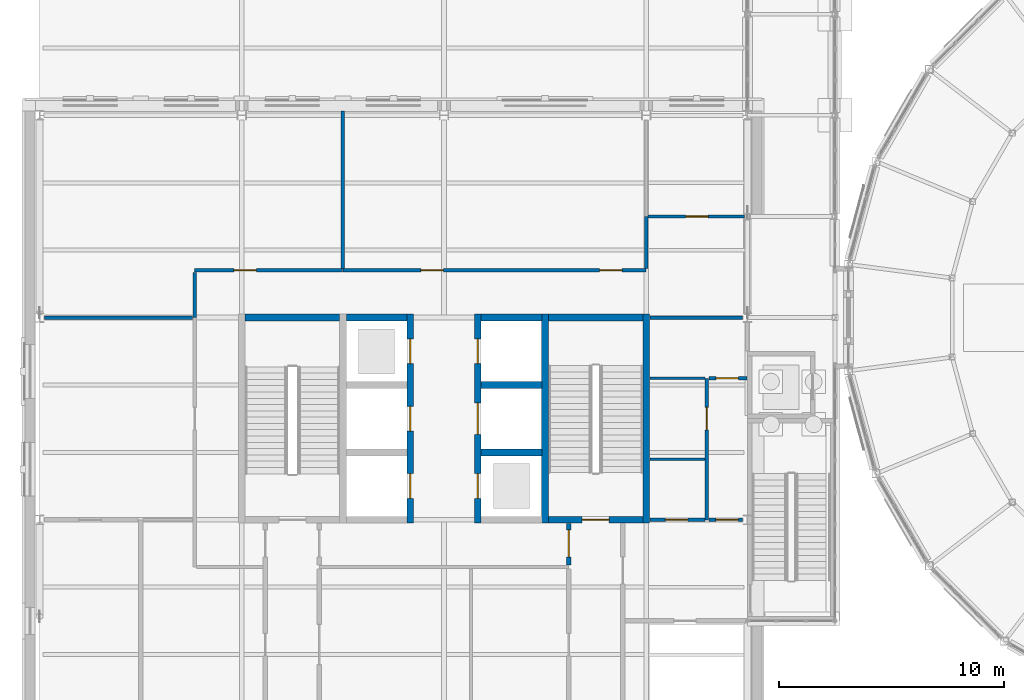
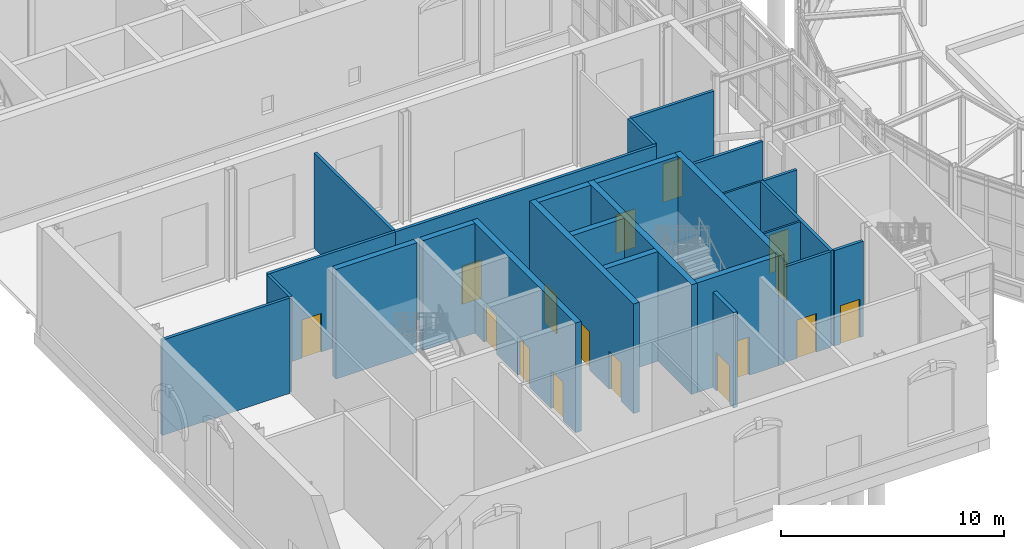
# One storey, part 68 of 106: 26 walls, 16 doors, 16 openings.
"""IFC4 building model written with IfcOpenShell, lengths in metres."""

import ifcopenshell
import ifcopenshell.guid

model = None  # the IFC model being written
_history = None  # IfcOwnerHistory: only IFC2X3 demands one
_inside = {}  # id of a spatial element -> (the spatial element, [elements in it])
_under = {}  # id of a project, library or spatial element -> (it, [spatial elements below it])
_declared = {}  # id of a project -> (the project, [libraries it declares])
_typed = {}  # id of a type object -> (the type object, [elements of that type])
_made_of = {}  # id of a material, layer set ... -> (it, [elements and type objects made of it])


def new_model(schema):
    """Start an empty IFC model of exactly this schema.

    Asked for "IFC4X3", IfcOpenShell would pick the latest addendum, in which some entities
    have other attributes; the version numbers below select the first issue.
    IFC2X3 requires an IfcOwnerHistory on every rooted entity: one is made here for all.
    """
    global model, _history
    if schema == "IFC4X3":
        model = ifcopenshell.file(schema_version=(4, 3, 0, 0))
    else:
        model = ifcopenshell.file(schema=schema)
    _inside.clear()
    _under.clear()
    _declared.clear()
    _typed.clear()
    _made_of.clear()
    _history = None
    if model.schema == "IFC2X3":
        org = make("IfcOrganization", Name="unknown")
        user = make(
            "IfcPersonAndOrganization",
            ThePerson=make("IfcPerson", FamilyName="unknown"),
            TheOrganization=org,
        )
        app = make(
            "IfcApplication",
            ApplicationDeveloper=org,
            Version="unknown",
            ApplicationFullName="unknown",
            ApplicationIdentifier="unknown",
        )
        _history = make(
            "IfcOwnerHistory",
            OwningUser=user,
            OwningApplication=app,
            ChangeAction="ADDED",
            CreationDate=0,
        )
    return model


def make(cls, **values):
    """One entity of the class cls with the attributes given. An attribute that is None is left unset."""
    return model.create_entity(
        cls, **{name: value for name, value in values.items() if value is not None}
    )


def rooted(cls, **values):
    """An entity with a GlobalId (a new one), such as an element, a storey or a relation."""
    return make(cls, GlobalId=ifcopenshell.guid.new(), OwnerHistory=_history, **values)


def si_unit(unit_type, name, prefix=None):
    """IfcSIUnit, for example si_unit("LENGTHUNIT", "METRE", prefix="MILLI")."""
    return make("IfcSIUnit", UnitType=unit_type, Prefix=prefix, Name=name)


def assignment(units):
    """IfcUnitAssignment: the units of a project."""
    return None if units is None else make("IfcUnitAssignment", Units=units)


def point(xyz):
    """IfcCartesianPoint."""
    return None if xyz is None else make("IfcCartesianPoint", Coordinates=xyz)


def direction(xyz):
    """IfcDirection."""
    return None if xyz is None else make("IfcDirection", DirectionRatios=xyz)


def frame(location, z_axis=None, x_axis=None):
    """IfcAxis2Placement3D, a coordinate frame: its origin and axes. An axis left out is left unset."""
    return make(
        "IfcAxis2Placement3D",
        Location=point(location),
        Axis=direction(z_axis),
        RefDirection=direction(x_axis),
    )


def frame_2d(location, x_axis=None):
    """IfcAxis2Placement2D, a coordinate frame in the plane: its origin and x axis."""
    return make(
        "IfcAxis2Placement2D", Location=point(location), RefDirection=direction(x_axis)
    )


def origin():
    """The frame at (0, 0, 0) with its axes left unset."""
    return frame((0.0, 0.0, 0.0))


def place(relative_to, where):
    """IfcLocalPlacement: puts the frame where relative to a parent placement (None: the world)."""
    return make(
        "IfcLocalPlacement", PlacementRelTo=relative_to, RelativePlacement=where
    )


def context(
    kind, dimensions, precision=None, world=None, true_north=None, identifier=None
):
    """IfcGeometricRepresentationContext, for example the 3D "Model" context."""
    return make(
        "IfcGeometricRepresentationContext",
        ContextIdentifier=identifier,
        ContextType=kind,
        CoordinateSpaceDimension=dimensions,
        Precision=precision,
        WorldCoordinateSystem=world,
        TrueNorth=true_north,
    )


def subcontext(parent, identifier, kind, view, scale=None):
    """IfcGeometricRepresentationSubContext, for example "Body" below "Model"."""
    return make(
        "IfcGeometricRepresentationSubContext",
        ContextIdentifier=identifier,
        ContextType=kind,
        ParentContext=parent,
        TargetScale=scale,
        TargetView=view,
    )


def project(units=None, contexts=None):
    """IfcProject with its units and contexts."""
    return rooted(
        "IfcProject",
        Name="project",
        RepresentationContexts=contexts,
        UnitsInContext=assignment(units),
    )


def spatial(cls, under=None, at=None, **own):
    """A site, building, storey or space (cls), placed at a placement, below another one or the project."""
    s = rooted(cls, ObjectPlacement=at, **own)
    if under is not None:
        _under.setdefault(under.id(), (under, []))[1].append(s)
    return s


def profile(cls, at=None, kind="AREA", **sizes):
    """A parametric profile (cls). Its sizes go by their IFC names, for example OverallWidth=200.0."""
    return make(cls, ProfileType=kind, Position=at, **sizes)


def rectangle(**sizes):
    """IfcRectangleProfileDef."""
    return profile("IfcRectangleProfileDef", **sizes)


def extrude(swept, where, along, depth):
    """IfcExtrudedAreaSolid: the profile swept, set in the frame where, extruded along a direction by depth."""
    return make(
        "IfcExtrudedAreaSolid",
        SweptArea=swept,
        Position=where,
        ExtrudedDirection=direction(along),
        Depth=depth,
    )


def shape(context_of_items, identifier, shape_type, items):
    """IfcShapeRepresentation: the items that make up one representation, for example the "Body"."""
    return make(
        "IfcShapeRepresentation",
        ContextOfItems=context_of_items,
        RepresentationIdentifier=identifier,
        RepresentationType=shape_type,
        Items=items,
    )


def material(Name=None, Category=None):
    """IfcMaterial."""
    return make("IfcMaterial", Name=Name, Category=Category)


def layer(
    of_material, thickness, ventilated=None, Name=None, Category=None, Priority=None
):
    """IfcMaterialLayer: one layer of a wall or slab, of a material (None: an air gap)."""
    return make(
        "IfcMaterialLayer",
        Material=of_material,
        LayerThickness=thickness,
        IsVentilated=ventilated,
        Name=Name,
        Category=Category,
        Priority=Priority,
    )


def layer_set(layers, Name=None):
    """IfcMaterialLayerSet."""
    return make("IfcMaterialLayerSet", MaterialLayers=layers, LayerSetName=Name)


def made_of(thing, what):
    """Note that an element or type object is made of a material, layer set ...; save() writes the relation."""
    if what is not None:
        _made_of.setdefault(what.id(), (what, []))[1].append(thing)
    return thing


def type_object(cls, material=None, **own):
    """A type object (cls), such as IfcWallType, which elements share."""
    return made_of(rooted(cls, **own), material)


def element(
    cls,
    number,
    at=None,
    inside=None,
    cuts=None,
    type_object=None,
    material=None,
    context=None,
    identifier="Body",
    shape_type=None,
    held_by="IfcProductDefinitionShape",
    body=None,
    shapes=None,
    **own,
):
    """One element of the class cls, such as IfcWall. Its Tag is "e" and its number.

    at: its placement. inside: the storey or other place that contains it. cuts: it is an
    opening in that element (IfcRelVoidsElement). A single representation is given by context,
    identifier, shape_type and body (its items); several are given by shapes. held_by: the class
    of the entity that holds the representations. save() writes the other relations.
    """
    e = rooted(cls, Tag="e%d" % number, ObjectPlacement=at, **own)
    if body is not None:
        shapes = [shape(context, identifier, shape_type, body)]
    if shapes is not None:
        e.Representation = make(held_by, Representations=shapes)
    if inside is not None:
        _inside.setdefault(inside.id(), (inside, []))[1].append(e)
    if cuts is not None:
        rooted(
            "IfcRelVoidsElement", RelatingBuildingElement=cuts, RelatedOpeningElement=e
        )
    if type_object is not None:
        _typed.setdefault(type_object.id(), (type_object, []))[1].append(e)
    return made_of(e, material)


def fill(opening, filler):
    """IfcRelFillsElement: the door or window that sits in an opening."""
    return rooted(
        "IfcRelFillsElement",
        RelatingOpeningElement=opening,
        RelatedBuildingElement=filler,
    )


def aggregate(whole, parts):
    """IfcRelAggregates: a whole, such as a stair, and the parts it consists of."""
    return rooted("IfcRelAggregates", RelatingObject=whole, RelatedObjects=parts)


def save(model, path):
    """Write the relations noted so far, then the file.

    IfcRelAggregates (storeys below a building ...), IfcRelContainedInSpatialStructure (elements
    in a storey), IfcRelDefinesByType, IfcRelAssociatesMaterial and IfcRelDeclares: one each for
    every whole, place, type object, material and project.
    """
    for whole, parts in _under.values():
        aggregate(whole, parts)
    for where, things in _inside.values():
        rooted(
            "IfcRelContainedInSpatialStructure",
            RelatedElements=things,
            RelatingStructure=where,
        )
    for kind, things in _typed.values():
        rooted("IfcRelDefinesByType", RelatedObjects=things, RelatingType=kind)
    for what, things in _made_of.values():
        rooted("IfcRelAssociatesMaterial", RelatedObjects=things, RelatingMaterial=what)
    for by, libraries in _declared.values():
        rooted("IfcRelDeclares", RelatingContext=by, RelatedDefinitions=libraries)
    model.write(path)


model = new_model("IFC4")

# Units and contexts
model_context = context("Model", 3, precision=1e-05, world=origin(), true_north=direction((0.0, 1.0)))
body_context = subcontext(model_context, "Body", "Model", "MODEL_VIEW")
ifc_project = project(units=[si_unit("LENGTHUNIT", "METRE"), si_unit("AREAUNIT", "SQUARE_METRE"), si_unit("VOLUMEUNIT", "CUBIC_METRE"), si_unit("PLANEANGLEUNIT", "RADIAN"), si_unit("MASSUNIT", "GRAM", prefix="KILO")], contexts=[model_context])

# Site, building, storey
site_placement = place(None, origin())
site = spatial("IfcSite", under=ifc_project, at=site_placement, CompositionType="ELEMENT")
building_placement = place(site_placement, origin())
building = spatial("IfcBuilding", under=site, at=building_placement, Name="Hortulan Conservatory and Botanical Research Centre", CompositionType="ELEMENT")
storey_placement = place(building_placement, origin())
storey = spatial("IfcBuildingStorey", under=building, at=storey_placement, Name="L00", CompositionType="ELEMENT", Elevation=0.0)

# Wall, opening, door
ifc_material_1 = material(Name="Fire-rated plasterboard on steel studs", Category="steel")
ifc_layer_1 = layer(ifc_material_1, 0.199951171875)
ifc_layer_set_1 = layer_set([ifc_layer_1], Name="Compartment Partition 200")
wall_type_1 = type_object("IfcWallType", Name="Compartment Partition 200", PredefinedType="PARTITIONING", material=ifc_layer_set_1)
wall_1_placement = place(storey_placement, frame((23.550048828125, 6.985107421875, 0.0), z_axis=(0.0, 0.0, 1.0), x_axis=(0.0, 1.0, 0.0)))
wall_1 = element("IfcWall", 1, at=wall_1_placement, inside=storey, type_object=wall_type_1, Name="Stair enclosure wall", PredefinedType="PARTITIONING", context=body_context, shape_type="SweptSolid", body=[
    extrude(rectangle(XDim=1.85498046875, YDim=0.199951171875, at=frame_2d((0.927490234375, 0.0))), origin(), (0.0, 0.0, 1.0), 5.218017578125),
])
opening_1_placement = place(wall_1_placement, frame((0.364990234375, 0.0, 0.0)))
opening_1 = element("IfcOpeningElement", 2, at=opening_1_placement, cuts=wall_1, Name="Opening DT5", PredefinedType="OPENING", context=body_context, shape_type="SweptSolid", body=[
    extrude(rectangle(XDim=1.199951171875, YDim=2.10009765625, at=frame_2d((0.60009765625, 1.050048828125))), frame((0.0, 0.10986328125, 0.0), z_axis=(0.0, -1.0, 0.0), x_axis=(1.0, 0.0, 0.0)), (0.0, 0.0, 1.0), 0.219970703125),
])
ifc_material_2 = material(Name="Steel door leaf, insulated", Category="steel")
door_type_1 = type_object("IfcDoorType", Name="Stair Door 1200x2100 FRL -/120/30", OperationType="NOTDEFINED", PredefinedType="DOOR", material=ifc_material_2)
door_1_placement = place(opening_1_placement, frame((1.199951171875, 0.0, 0.0), z_axis=(0.0, 0.0, 1.0), x_axis=(-1.0, 0.0, 0.0)))
door_1 = element("IfcDoor", 3, at=door_1_placement, inside=storey, type_object=door_type_1, Name="Door DT5 Corridor South 2", OperationType="SINGLE_SWING_RIGHT", OverallHeight=2.10009765625, OverallWidth=1.199951171875, PredefinedType="DOOR", context=body_context, shape_type="SweptSolid", body=[
    extrude(rectangle(XDim=1.199951171875, YDim=2.10009765625, at=frame_2d((0.60009765625, 1.050048828125))), frame((0.0, 0.02490234375, 0.0), z_axis=(0.0, -1.0, 0.0), x_axis=(1.0, 0.0, 0.0)), (0.0, 0.0, 1.0), 0.050048828125),
])
fill(opening_1, door_1)

# Wall, openings, doors
ifc_material_3 = material(Name="Concrete N50 (50 MPa, AS 3600)", Category="concrete")
ifc_layer_2 = layer(ifc_material_3, 0.300048828125)
ifc_layer_set_2 = layer_set([ifc_layer_2], Name="Core Wall 300 N50 FRL 240/120/120")
wall_type_2 = type_object("IfcWallType", Name="Core Wall 300 N50 FRL 240/120/120", PredefinedType="SHEAR", material=ifc_layer_set_2)
wall_2_placement = place(storey_placement, frame((16.5, 8.85009765625, 0.0), z_axis=(0.0, 0.0, 1.0), x_axis=(0.0, 1.0, 0.0)))
wall_2 = element("IfcWall", 4, at=wall_2_placement, inside=storey, type_object=wall_type_2, Name="Reinforced concrete shaft wall", PredefinedType="SHEAR", context=body_context, shape_type="SweptSolid", body=[
    extrude(rectangle(XDim=9.2998046875, YDim=0.300048828125, at=frame_2d((4.64990234375, 0.0))), origin(), (0.0, 0.0, 1.0), 6.0),
])
opening_2_placement = place(wall_2_placement, frame((1.10009765625, 0.0, 0.0)))
opening_2 = element("IfcOpeningElement", 5, at=opening_2_placement, cuts=wall_2, Name="Opening LD1", PredefinedType="OPENING", context=body_context, shape_type="SweptSolid", body=[
    extrude(rectangle(XDim=1.10009765625, YDim=2.10009765625, at=frame_2d((0.550048828125, 1.050048828125))), frame((0.0, 0.159912109375, 0.0), z_axis=(0.0, -1.0, 0.0), x_axis=(1.0, 0.0, 0.0)), (0.0, 0.0, 1.0), 0.320068359375),
])
opening_3_placement = place(wall_2_placement, frame((4.10009765625, 0.0, 0.0)))
opening_3 = element("IfcOpeningElement", 6, at=opening_3_placement, cuts=wall_2, Name="Opening LD1", PredefinedType="OPENING", context=body_context, shape_type="SweptSolid", body=[
    extrude(rectangle(XDim=1.10009765625, YDim=2.10009765625, at=frame_2d((0.550048828125, 1.050048828125))), frame((0.0, 0.159912109375, 0.0), z_axis=(0.0, -1.0, 0.0), x_axis=(1.0, 0.0, 0.0)), (0.0, 0.0, 1.0), 0.320068359375),
])
opening_4_placement = place(wall_2_placement, frame((7.10009765625, 0.0, 0.0)))
opening_4 = element("IfcOpeningElement", 7, at=opening_4_placement, cuts=wall_2, Name="Opening LD1", PredefinedType="OPENING", context=body_context, shape_type="SweptSolid", body=[
    extrude(rectangle(XDim=1.10009765625, YDim=2.10009765625, at=frame_2d((0.550048828125, 1.050048828125))), frame((0.0, 0.159912109375, 0.0), z_axis=(0.0, -1.0, 0.0), x_axis=(1.0, 0.0, 0.0)), (0.0, 0.0, 1.0), 0.320068359375),
])
ifc_material_4 = material(Name="Stainless steel door leaves in steel frame", Category="steel")
door_type_2 = type_object("IfcDoorType", Name="Lift Landing Door 1100x2100", OperationType="DOUBLE_DOOR_SLIDING", PredefinedType="DOOR", material=ifc_material_4)
door_2_placement = place(opening_2_placement, origin())
door_2 = element("IfcDoor", 8, at=door_2_placement, inside=storey, type_object=door_type_2, Name="Lift LP1 landing door L00", OperationType="DOUBLE_DOOR_SLIDING", OverallHeight=2.10009765625, OverallWidth=1.10009765625, PredefinedType="DOOR", context=body_context, shape_type="SweptSolid", body=[
    extrude(rectangle(XDim=1.10009765625, YDim=2.10009765625, at=frame_2d((0.550048828125, 1.050048828125))), frame((0.0, 0.02490234375, 0.0), z_axis=(0.0, -1.0, 0.0), x_axis=(1.0, 0.0, 0.0)), (0.0, 0.0, 1.0), 0.050048828125),
])
fill(opening_2, door_2)
door_3_placement = place(opening_3_placement, origin())
door_3 = element("IfcDoor", 9, at=door_3_placement, inside=storey, type_object=door_type_2, Name="Lift LP2 landing door L00", OperationType="DOUBLE_DOOR_SLIDING", OverallHeight=2.10009765625, OverallWidth=1.10009765625, PredefinedType="DOOR", context=body_context, shape_type="SweptSolid", body=[
    extrude(rectangle(XDim=1.10009765625, YDim=2.10009765625, at=frame_2d((0.550048828125, 1.050048828125))), frame((0.0, 0.02490234375, 0.0), z_axis=(0.0, -1.0, 0.0), x_axis=(1.0, 0.0, 0.0)), (0.0, 0.0, 1.0), 0.050048828125),
])
fill(opening_3, door_3)
door_4_placement = place(opening_4_placement, origin())
door_4 = element("IfcDoor", 10, at=door_4_placement, inside=storey, type_object=door_type_2, Name="Lift LP3 landing door L00", OperationType="DOUBLE_DOOR_SLIDING", OverallHeight=2.10009765625, OverallWidth=1.10009765625, PredefinedType="DOOR", context=body_context, shape_type="SweptSolid", body=[
    extrude(rectangle(XDim=1.10009765625, YDim=2.10009765625, at=frame_2d((0.550048828125, 1.050048828125))), frame((0.0, 0.02490234375, 0.0), z_axis=(0.0, -1.0, 0.0), x_axis=(1.0, 0.0, 0.0)), (0.0, 0.0, 1.0), 0.050048828125),
])
fill(opening_4, door_4)

wall_3_placement = place(storey_placement, frame((19.5, 8.85009765625, 0.0), z_axis=(0.0, 0.0, 1.0), x_axis=(0.0, 1.0, 0.0)))
wall_3 = element("IfcWall", 11, at=wall_3_placement, inside=storey, type_object=wall_type_2, Name="Reinforced concrete shaft wall", PredefinedType="SHEAR", context=body_context, shape_type="SweptSolid", body=[
    extrude(rectangle(XDim=9.2998046875, YDim=0.300048828125, at=frame_2d((4.64990234375, 0.0))), origin(), (0.0, 0.0, 1.0), 6.0),
])
opening_5_placement = place(wall_3_placement, frame((1.10009765625, 0.0, 0.0)))
opening_5 = element("IfcOpeningElement", 12, at=opening_5_placement, cuts=wall_3, Name="Opening LD1", PredefinedType="OPENING", context=body_context, shape_type="SweptSolid", body=[
    extrude(rectangle(XDim=1.10009765625, YDim=2.10009765625, at=frame_2d((0.550048828125, 1.050048828125))), frame((0.0, 0.159912109375, 0.0), z_axis=(0.0, -1.0, 0.0), x_axis=(1.0, 0.0, 0.0)), (0.0, 0.0, 1.0), 0.320068359375),
])
opening_6_placement = place(wall_3_placement, frame((3.949951171875, 0.0, 0.0)))
opening_6 = element("IfcOpeningElement", 13, at=opening_6_placement, cuts=wall_3, Name="Opening LD2", PredefinedType="OPENING", context=body_context, shape_type="SweptSolid", body=[
    extrude(rectangle(XDim=1.39990234375, YDim=2.10009765625, at=frame_2d((0.699951171875, 1.050048828125))), frame((0.0, 0.159912109375, 0.0), z_axis=(0.0, -1.0, 0.0), x_axis=(1.0, 0.0, 0.0)), (0.0, 0.0, 1.0), 0.320068359375),
])
opening_7_placement = place(wall_3_placement, frame((7.10009765625, 0.0, 0.0)))
opening_7 = element("IfcOpeningElement", 14, at=opening_7_placement, cuts=wall_3, Name="Opening LD1", PredefinedType="OPENING", context=body_context, shape_type="SweptSolid", body=[
    extrude(rectangle(XDim=1.10009765625, YDim=2.10009765625, at=frame_2d((0.550048828125, 1.050048828125))), frame((0.0, 0.159912109375, 0.0), z_axis=(0.0, -1.0, 0.0), x_axis=(1.0, 0.0, 0.0)), (0.0, 0.0, 1.0), 0.320068359375),
])
door_5_placement = place(opening_5_placement, origin())
door_5 = element("IfcDoor", 15, at=door_5_placement, inside=storey, type_object=door_type_2, Name="Lift LP4 landing door L00", OperationType="DOUBLE_DOOR_SLIDING", OverallHeight=2.10009765625, OverallWidth=1.10009765625, PredefinedType="DOOR", context=body_context, shape_type="SweptSolid", body=[
    extrude(rectangle(XDim=1.10009765625, YDim=2.10009765625, at=frame_2d((0.550048828125, 1.050048828125))), frame((0.0, 0.02490234375, 0.0), z_axis=(0.0, -1.0, 0.0), x_axis=(1.0, 0.0, 0.0)), (0.0, 0.0, 1.0), 0.050048828125),
])
fill(opening_5, door_5)
door_6_placement = place(opening_7_placement, origin())
door_6 = element("IfcDoor", 16, at=door_6_placement, inside=storey, type_object=door_type_2, Name="Lift LF1 landing door L00", OperationType="DOUBLE_DOOR_SLIDING", OverallHeight=2.10009765625, OverallWidth=1.10009765625, PredefinedType="DOOR", context=body_context, shape_type="SweptSolid", body=[
    extrude(rectangle(XDim=1.10009765625, YDim=2.10009765625, at=frame_2d((0.550048828125, 1.050048828125))), frame((0.0, 0.02490234375, 0.0), z_axis=(0.0, -1.0, 0.0), x_axis=(1.0, 0.0, 0.0)), (0.0, 0.0, 1.0), 0.050048828125),
])
fill(opening_7, door_6)
door_type_3 = type_object("IfcDoorType", Name="Lift Landing Door 1400x2100", OperationType="DOUBLE_DOOR_SLIDING", PredefinedType="DOOR", material=ifc_material_4)
door_7_placement = place(opening_6_placement, origin())
door_7 = element("IfcDoor", 17, at=door_7_placement, inside=storey, type_object=door_type_3, Name="Lift LG1 landing door L00", OperationType="DOUBLE_DOOR_SLIDING", OverallHeight=2.10009765625, OverallWidth=1.39990234375, PredefinedType="DOOR", context=body_context, shape_type="SweptSolid", body=[
    extrude(rectangle(XDim=1.39990234375, YDim=2.10009765625, at=frame_2d((0.699951171875, 1.050048828125))), frame((0.0, 0.02490234375, 0.0), z_axis=(0.0, -1.0, 0.0), x_axis=(1.0, 0.0, 0.0)), (0.0, 0.0, 1.0), 0.050048828125),
])
fill(opening_6, door_7)

# Walls
for number, where, z_axis, x_axis, name in (
    (18, (22.5, 8.85009765625, 0.0), (0.0, 0.0, 1.0), (0.0, 1.0, 0.0), "Reinforced concrete shaft wall"),
    (19, (27.0, 8.85009765625, 0.0), (0.0, 0.0, 1.0), (0.0, 1.0, 0.0), "Reinforced concrete shaft wall"),
):
    element("IfcWall", number, at=place(storey_placement, frame(where, z_axis=z_axis, x_axis=x_axis)), inside=storey, type_object=wall_type_2, Name=name, PredefinedType="SHEAR", context=body_context, shape_type="SweptSolid", body=[
        extrude(rectangle(XDim=9.2998046875, YDim=0.300048828125, at=frame_2d((4.64990234375, 0.0))), origin(), (0.0, 0.0, 1.0), 6.0),
    ])

# Wall, opening, door
wall_4_placement = place(storey_placement, frame((22.64990234375, 9.0, 0.0), z_axis=(0.0, 0.0, 1.0), x_axis=(1.0, 0.0, 0.0)))
wall_4 = element("IfcWall", 20, at=wall_4_placement, inside=storey, type_object=wall_type_2, Name="Reinforced concrete shaft wall", PredefinedType="SHEAR", context=body_context, shape_type="SweptSolid", body=[
    extrude(rectangle(XDim=4.2001953125, YDim=0.300048828125, at=frame_2d((2.10009765625, 0.0))), origin(), (0.0, 0.0, 1.0), 6.0),
])
opening_8_placement = place(wall_4_placement, frame((1.5, 0.0, 0.0)))
opening_8 = element("IfcOpeningElement", 21, at=opening_8_placement, cuts=wall_4, Name="Opening DT5", PredefinedType="OPENING", context=body_context, shape_type="SweptSolid", body=[
    extrude(rectangle(XDim=1.199951171875, YDim=2.10009765625, at=frame_2d((0.60009765625, 1.050048828125))), frame((0.0, 0.159912109375, 0.0), z_axis=(0.0, -1.0, 0.0), x_axis=(1.0, 0.0, 0.0)), (0.0, 0.0, 1.0), 0.320068359375),
])
door_8_placement = place(opening_8_placement, origin())
door_8 = element("IfcDoor", 22, at=door_8_placement, inside=storey, type_object=door_type_1, Name="Door DT5 Exit Stair T2", OperationType="SINGLE_SWING_LEFT", OverallHeight=2.10009765625, OverallWidth=1.199951171875, PredefinedType="DOOR", context=body_context, shape_type="SweptSolid", body=[
    extrude(rectangle(XDim=1.199951171875, YDim=2.10009765625, at=frame_2d((0.60009765625, 1.050048828125))), frame((0.0, 0.02490234375, 0.0), z_axis=(0.0, -1.0, 0.0), x_axis=(1.0, 0.0, 0.0)), (0.0, 0.0, 1.0), 0.050048828125),
])
fill(opening_8, door_8)

# Walls
for number, where, z_axis, x_axis, name in (
    (23, (19.64990234375, 12.0, 0.0), (0.0, 0.0, 1.0), (1.0, 0.0, 0.0), "Reinforced concrete shaft wall"),
    (24, (19.64990234375, 15.0, 0.0), (0.0, 0.0, 1.0), (1.0, 0.0, 0.0), "Reinforced concrete shaft wall"),
):
    element("IfcWall", number, at=place(storey_placement, frame(where, z_axis=z_axis, x_axis=x_axis)), inside=storey, type_object=wall_type_2, Name=name, PredefinedType="SHEAR", context=body_context, shape_type="SweptSolid", body=[
        extrude(rectangle(XDim=2.7001953125, YDim=0.300048828125, at=frame_2d((1.35009765625, 0.0))), origin(), (0.0, 0.0, 1.0), 6.0),
    ])
wall_5_placement = place(storey_placement, frame((9.14990234375, 18.0, 0.0), z_axis=(0.0, 0.0, 1.0), x_axis=(1.0, 0.0, 0.0)))
element("IfcWall", 25, at=wall_5_placement, inside=storey, type_object=wall_type_2, Name="Reinforced concrete shaft wall", PredefinedType="SHEAR", context=body_context, shape_type="SweptSolid", body=[
    extrude(rectangle(XDim=4.2001953125, YDim=0.300048828125, at=frame_2d((2.10009765625, 0.0))), origin(), (0.0, 0.0, 1.0), 6.0),
])
for number, where, z_axis, x_axis, name in (
    (26, (13.64990234375, 18.0, 0.0), (0.0, 0.0, 1.0), (1.0, 0.0, 0.0), "Reinforced concrete shaft wall"),
    (27, (19.64990234375, 18.0, 0.0), (0.0, 0.0, 1.0), (1.0, 0.0, 0.0), "Reinforced concrete shaft wall"),
):
    element("IfcWall", number, at=place(storey_placement, frame(where, z_axis=z_axis, x_axis=x_axis)), inside=storey, type_object=wall_type_2, Name=name, PredefinedType="SHEAR", context=body_context, shape_type="SweptSolid", body=[
        extrude(rectangle(XDim=2.7001953125, YDim=0.300048828125, at=frame_2d((1.35009765625, 0.0))), origin(), (0.0, 0.0, 1.0), 6.0),
    ])
wall_6_placement = place(storey_placement, frame((22.64990234375, 18.0, 0.0), z_axis=(0.0, 0.0, 1.0), x_axis=(1.0, 0.0, 0.0)))
element("IfcWall", 28, at=wall_6_placement, inside=storey, type_object=wall_type_2, Name="Reinforced concrete shaft wall", PredefinedType="SHEAR", context=body_context, shape_type="SweptSolid", body=[
    extrude(rectangle(XDim=4.2001953125, YDim=0.300048828125, at=frame_2d((2.10009765625, 0.0))), origin(), (0.0, 0.0, 1.0), 6.0),
])
ifc_material_5 = material(Name="Plasterboard on steel studs", Category="steel")
ifc_layer_3 = layer(ifc_material_5, 0.14990234375)
ifc_layer_set_3 = layer_set([ifc_layer_3], Name="Corridor Partition 150")
wall_type_3 = type_object("IfcWallType", Name="Corridor Partition 150", PredefinedType="PARTITIONING", material=ifc_layer_set_3)
wall_7_placement = place(storey_placement, frame((27.0, 20.18505859375, 0.0), z_axis=(0.0, 0.0, 1.0), x_axis=(0.0, 1.0, 0.0)))
element("IfcWall", 29, at=wall_7_placement, inside=storey, type_object=wall_type_3, Name="Corridor partition", PredefinedType="PARTITIONING", context=body_context, shape_type="SweptSolid", body=[
    extrude(rectangle(XDim=2.304931640625, YDim=0.14990234375, at=frame_2d((1.15234375, 0.0))), origin(), (0.0, 0.0, 1.0), 5.218017578125),
])

# Wall, opening, door
wall_8_placement = place(storey_placement, frame((27.159912109375, 9.0, 0.0), z_axis=(0.0, 0.0, 1.0), x_axis=(1.0, 0.0, 0.0)))
wall_8 = element("IfcWall", 30, at=wall_8_placement, inside=storey, type_object=wall_type_3, Name="Corridor partition", PredefinedType="PARTITIONING", context=body_context, shape_type="SweptSolid", body=[
    extrude(rectangle(XDim=2.455078125, YDim=0.14990234375, at=frame_2d((1.2275390625, 0.0))), origin(), (0.0, 0.0, 1.0), 5.218017578125),
])
opening_9_placement = place(wall_8_placement, frame((0.68994140625, 0.0, 0.0)))
opening_9 = element("IfcOpeningElement", 31, at=opening_9_placement, cuts=wall_8, Name="Opening DT1", PredefinedType="OPENING", context=body_context, shape_type="SweptSolid", body=[
    extrude(rectangle(XDim=1.0, YDim=2.10009765625, at=frame_2d((0.5, 1.050048828125))), frame((0.0, 0.0849609375, 0.0), z_axis=(0.0, -1.0, 0.0), x_axis=(1.0, 0.0, 0.0)), (0.0, 0.0, 1.0), 0.169921875),
])
ifc_material_6 = material(Name="Timber door leaf in timber frame", Category="wood")
door_type_4 = type_object("IfcDoorType", Name="Single Door 1000x2100", OperationType="NOTDEFINED", PredefinedType="DOOR", material=ifc_material_6)
door_9_placement = place(opening_9_placement, origin())
door_9 = element("IfcDoor", 32, at=door_9_placement, inside=storey, type_object=door_type_4, Name="Door DT1 Accessible WC", OperationType="SINGLE_SWING_RIGHT", OverallHeight=2.10009765625, OverallWidth=1.0, PredefinedType="DOOR", context=body_context, shape_type="SweptSolid", body=[
    extrude(rectangle(XDim=1.0, YDim=2.10009765625, at=frame_2d((0.5, 1.050048828125))), frame((0.0, 0.02490234375, 0.0), z_axis=(0.0, -1.0, 0.0), x_axis=(1.0, 0.0, 0.0)), (0.0, 0.0, 1.0), 0.050048828125),
])
fill(opening_9, door_9)

# Wall
wall_9_placement = place(storey_placement, frame((27.159912109375, 18.0, 0.0), z_axis=(0.0, 0.0, 1.0), x_axis=(1.0, 0.0, 0.0)))
element("IfcWall", 33, at=wall_9_placement, inside=storey, type_object=wall_type_3, Name="Corridor partition", PredefinedType="PARTITIONING", context=body_context, shape_type="SweptSolid", body=[
    extrude(rectangle(XDim=4.130126953125, YDim=0.14990234375, at=frame_2d((2.06494140625, 0.0))), origin(), (0.0, 0.0, 1.0), 5.218017578125),
])

# Wall, openings, doors
wall_10_placement = place(storey_placement, frame((13.5, 20.10009765625, 0.0), z_axis=(0.0, 0.0, 1.0), x_axis=(1.0, 0.0, 0.0)))
wall_10 = element("IfcWall", 34, at=wall_10_placement, inside=storey, type_object=wall_type_3, Name="Corridor partition", PredefinedType="PARTITIONING", context=body_context, shape_type="SweptSolid", body=[
    extrude(rectangle(XDim=13.5, YDim=0.14990234375, at=frame_2d((6.75, 0.0))), origin(), (0.0, 0.0, 1.0), 5.218017578125),
])
opening_10_placement = place(wall_10_placement, frame((3.47509765625, 0.0, 0.0)))
opening_10 = element("IfcOpeningElement", 35, at=opening_10_placement, cuts=wall_10, Name="Opening DT1", PredefinedType="OPENING", context=body_context, shape_type="SweptSolid", body=[
    extrude(rectangle(XDim=1.0, YDim=2.10009765625, at=frame_2d((0.5, 1.050048828125))), frame((0.0, 0.0849609375, 0.0), z_axis=(0.0, -1.0, 0.0), x_axis=(1.0, 0.0, 0.0)), (0.0, 0.0, 1.0), 0.169921875),
])
opening_11_placement = place(wall_10_placement, frame((11.425048828125, 0.0, 0.0)))
opening_11 = element("IfcOpeningElement", 36, at=opening_11_placement, cuts=wall_10, Name="Opening DT1", PredefinedType="OPENING", context=body_context, shape_type="SweptSolid", body=[
    extrude(rectangle(XDim=1.0, YDim=2.10009765625, at=frame_2d((0.5, 1.050048828125))), frame((0.0, 0.0849609375, 0.0), z_axis=(0.0, -1.0, 0.0), x_axis=(1.0, 0.0, 0.0)), (0.0, 0.0, 1.0), 0.169921875),
])
door_10_placement = place(opening_10_placement, origin())
door_10 = element("IfcDoor", 37, at=door_10_placement, inside=storey, type_object=door_type_4, Name="Door DT1 Herbarium Public Gallery", OperationType="SINGLE_SWING_RIGHT", OverallHeight=2.10009765625, OverallWidth=1.0, PredefinedType="DOOR", context=body_context, shape_type="SweptSolid", body=[
    extrude(rectangle(XDim=1.0, YDim=2.10009765625, at=frame_2d((0.5, 1.050048828125))), frame((0.0, 0.02490234375, 0.0), z_axis=(0.0, -1.0, 0.0), x_axis=(1.0, 0.0, 0.0)), (0.0, 0.0, 1.0), 0.050048828125),
])
fill(opening_10, door_10)
door_11_placement = place(opening_11_placement, origin())
door_11 = element("IfcDoor", 38, at=door_11_placement, inside=storey, type_object=door_type_4, Name="Door DT1 Herbarium Public Gallery", OperationType="SINGLE_SWING_LEFT", OverallHeight=2.10009765625, OverallWidth=1.0, PredefinedType="DOOR", context=body_context, shape_type="SweptSolid", body=[
    extrude(rectangle(XDim=1.0, YDim=2.10009765625, at=frame_2d((0.5, 1.050048828125))), frame((0.0, 0.02490234375, 0.0), z_axis=(0.0, -1.0, 0.0), x_axis=(1.0, 0.0, 0.0)), (0.0, 0.0, 1.0), 0.050048828125),
])
fill(opening_11, door_11)

# Wall, opening, door
wall_11_placement = place(storey_placement, frame((27.072509765625, 22.5, 0.0), z_axis=(0.0, 0.0, 1.0), x_axis=(1.0, 0.0, 0.0)))
wall_11 = element("IfcWall", 39, at=wall_11_placement, inside=storey, type_object=wall_type_3, Name="Corridor partition", PredefinedType="PARTITIONING", context=body_context, shape_type="SweptSolid", body=[
    extrude(rectangle(XDim=4.29248046875, YDim=0.14990234375, at=frame_2d((2.146240234375, 0.0))), origin(), (0.0, 0.0, 1.0), 5.218017578125),
])
opening_12_placement = place(wall_11_placement, frame((1.677490234375, 0.0, 0.0)))
opening_12 = element("IfcOpeningElement", 40, at=opening_12_placement, cuts=wall_11, Name="Opening DT1", PredefinedType="OPENING", context=body_context, shape_type="SweptSolid", body=[
    extrude(rectangle(XDim=1.0, YDim=2.10009765625, at=frame_2d((0.5, 1.050048828125))), frame((0.0, 0.0849609375, 0.0), z_axis=(0.0, -1.0, 0.0), x_axis=(1.0, 0.0, 0.0)), (0.0, 0.0, 1.0), 0.169921875),
])
door_12_placement = place(opening_12_placement, origin())
door_12 = element("IfcDoor", 41, at=door_12_placement, inside=storey, type_object=door_type_4, Name="Door DT1 Parcel and Goods Reception", OperationType="SINGLE_SWING_LEFT", OverallHeight=2.10009765625, OverallWidth=1.0, PredefinedType="DOOR", context=body_context, shape_type="SweptSolid", body=[
    extrude(rectangle(XDim=1.0, YDim=2.10009765625, at=frame_2d((0.5, 1.050048828125))), frame((0.0, 0.02490234375, 0.0), z_axis=(0.0, -1.0, 0.0), x_axis=(1.0, 0.0, 0.0)), (0.0, 0.0, 1.0), 0.050048828125),
])
fill(opening_12, door_12)

# Walls
ifc_layer_4 = layer(ifc_material_1, 0.14990234375)
ifc_layer_set_4 = layer_set([ifc_layer_4], Name="Lobby Partition 150")
wall_type_4 = type_object("IfcWallType", Name="Lobby Partition 150", PredefinedType="PARTITIONING", material=ifc_layer_set_4)
wall_12_placement = place(storey_placement, frame((6.89990234375, 18.010009765625, 0.0), z_axis=(0.0, 0.0, 1.0), x_axis=(0.0, 1.0, 0.0)))
element("IfcWall", 42, at=wall_12_placement, inside=storey, type_object=wall_type_4, Name="Lobby partition", PredefinedType="PARTITIONING", context=body_context, shape_type="SweptSolid", body=[
    extrude(rectangle(XDim=2.0048828125, YDim=0.14990234375, at=frame_2d((1.00244140625, 0.0))), origin(), (0.0, 0.0, 1.0), 5.218017578125),
])
wall_13_placement = place(storey_placement, frame((13.5, 20.18505859375, 0.0), z_axis=(0.0, 0.0, 1.0), x_axis=(0.0, 1.0, 0.0)))
element("IfcWall", 43, at=wall_13_placement, inside=storey, type_object=wall_type_4, Name="Lobby partition", PredefinedType="PARTITIONING", context=body_context, shape_type="SweptSolid", body=[
    extrude(rectangle(XDim=7.015869140625, YDim=0.14990234375, at=frame_2d((3.5078125, 0.0))), origin(), (0.0, 0.0, 1.0), 5.218017578125),
])

# Wall, opening, door
wall_14_placement = place(storey_placement, frame((29.699951171875, 9.0, 0.0), z_axis=(0.0, 0.0, 1.0), x_axis=(0.0, 1.0, 0.0)))
wall_14 = element("IfcWall", 44, at=wall_14_placement, inside=storey, type_object=wall_type_4, Name="Lobby partition", PredefinedType="PARTITIONING", context=body_context, shape_type="SweptSolid", body=[
    extrude(rectangle(XDim=6.300048828125, YDim=0.14990234375, at=frame_2d((3.14990234375, 0.0))), origin(), (0.0, 0.0, 1.0), 5.218017578125),
])
opening_13_placement = place(wall_14_placement, frame((4.0, 0.0, 0.0)))
opening_13 = element("IfcOpeningElement", 45, at=opening_13_placement, cuts=wall_14, Name="Opening DT4", PredefinedType="OPENING", context=body_context, shape_type="SweptSolid", body=[
    extrude(rectangle(XDim=1.0, YDim=2.10009765625, at=frame_2d((0.5, 1.050048828125))), frame((0.0, 0.0849609375, 0.0), z_axis=(0.0, -1.0, 0.0), x_axis=(1.0, 0.0, 0.0)), (0.0, 0.0, 1.0), 0.169921875),
])
door_type_5 = type_object("IfcDoorType", Name="Fire Door 1000x2100 FRL -/60/30", OperationType="NOTDEFINED", PredefinedType="DOOR", material=ifc_material_2)
door_13_placement = place(opening_13_placement, origin())
door_13 = element("IfcDoor", 46, at=door_13_placement, inside=storey, type_object=door_type_5, Name="Door DT4 Women's WC", OperationType="SINGLE_SWING_LEFT", OverallHeight=2.10009765625, OverallWidth=1.0, PredefinedType="DOOR", context=body_context, shape_type="SweptSolid", body=[
    extrude(rectangle(XDim=1.0, YDim=2.10009765625, at=frame_2d((0.5, 1.050048828125))), frame((0.0, 0.02490234375, 0.0), z_axis=(0.0, -1.0, 0.0), x_axis=(1.0, 0.0, 0.0)), (0.0, 0.0, 1.0), 0.050048828125),
])
fill(opening_13, door_13)

wall_15_placement = place(storey_placement, frame((29.784912109375, 9.0, 0.0), z_axis=(0.0, 0.0, 1.0), x_axis=(1.0, 0.0, 0.0)))
wall_15 = element("IfcWall", 47, at=wall_15_placement, inside=storey, type_object=wall_type_4, Name="Lobby partition", PredefinedType="PARTITIONING", context=body_context, shape_type="SweptSolid", body=[
    extrude(rectangle(XDim=1.505126953125, YDim=0.14990234375, at=frame_2d((0.75244140625, 0.0))), origin(), (0.0, 0.0, 1.0), 5.218017578125),
])
opening_14_placement = place(wall_15_placement, frame((0.31494140625, 0.0, 0.0)))
opening_14 = element("IfcOpeningElement", 48, at=opening_14_placement, cuts=wall_15, Name="Opening DT4", PredefinedType="OPENING", context=body_context, shape_type="SweptSolid", body=[
    extrude(rectangle(XDim=1.0, YDim=2.10009765625, at=frame_2d((0.5, 1.050048828125))), frame((0.0, 0.0849609375, 0.0), z_axis=(0.0, -1.0, 0.0), x_axis=(1.0, 0.0, 0.0)), (0.0, 0.0, 1.0), 0.169921875),
])
door_14_placement = place(opening_14_placement, origin())
door_14 = element("IfcDoor", 49, at=door_14_placement, inside=storey, type_object=door_type_5, Name="Door DT4 WC Lobby", OperationType="SINGLE_SWING_LEFT", OverallHeight=2.10009765625, OverallWidth=1.0, PredefinedType="DOOR", context=body_context, shape_type="SweptSolid", body=[
    extrude(rectangle(XDim=1.0, YDim=2.10009765625, at=frame_2d((0.5, 1.050048828125))), frame((0.0, 0.02490234375, 0.0), z_axis=(0.0, -1.0, 0.0), x_axis=(1.0, 0.0, 0.0)), (0.0, 0.0, 1.0), 0.050048828125),
])
fill(opening_14, door_14)

wall_16_placement = place(storey_placement, frame((29.784912109375, 15.300048828125, 0.0), z_axis=(0.0, 0.0, 1.0), x_axis=(1.0, 0.0, 0.0)))
wall_16 = element("IfcWall", 50, at=wall_16_placement, inside=storey, type_object=wall_type_4, Name="Lobby partition", PredefinedType="PARTITIONING", context=body_context, shape_type="SweptSolid", body=[
    extrude(rectangle(XDim=1.705078125, YDim=0.14990234375, at=frame_2d((0.8525390625, 0.0))), origin(), (0.0, 0.0, 1.0), 5.218017578125),
])
opening_15_placement = place(wall_16_placement, frame((0.31494140625, 0.0, 0.0)))
opening_15 = element("IfcOpeningElement", 51, at=opening_15_placement, cuts=wall_16, Name="Opening DT4", PredefinedType="OPENING", context=body_context, shape_type="SweptSolid", body=[
    extrude(rectangle(XDim=1.0, YDim=2.10009765625, at=frame_2d((0.5, 1.050048828125))), frame((0.0, 0.0849609375, 0.0), z_axis=(0.0, -1.0, 0.0), x_axis=(1.0, 0.0, 0.0)), (0.0, 0.0, 1.0), 0.169921875),
])
door_15_placement = place(opening_15_placement, origin())
door_15 = element("IfcDoor", 52, at=door_15_placement, inside=storey, type_object=door_type_5, Name="Door DT4 Men's WC", OperationType="SINGLE_SWING_RIGHT", OverallHeight=2.10009765625, OverallWidth=1.0, PredefinedType="DOOR", context=body_context, shape_type="SweptSolid", body=[
    extrude(rectangle(XDim=1.0, YDim=2.10009765625, at=frame_2d((0.5, 1.050048828125))), frame((0.0, 0.02490234375, 0.0), z_axis=(0.0, -1.0, 0.0), x_axis=(1.0, 0.0, 0.0)), (0.0, 0.0, 1.0), 0.050048828125),
])
fill(opening_15, door_15)

# Wall
wall_17_placement = place(storey_placement, frame((0.2099609375, 18.0, 0.0), z_axis=(0.0, 0.0, 1.0), x_axis=(1.0, 0.0, 0.0)))
element("IfcWall", 53, at=wall_17_placement, inside=storey, type_object=wall_type_4, Name="Lobby partition", PredefinedType="PARTITIONING", context=body_context, shape_type="SweptSolid", body=[
    extrude(rectangle(XDim=6.60498046875, YDim=0.14990234375, at=frame_2d((3.302490234375, 0.0))), origin(), (0.0, 0.0, 1.0), 5.218017578125),
])

# Wall, opening, door
wall_18_placement = place(storey_placement, frame((6.89990234375, 20.10009765625, 0.0), z_axis=(0.0, 0.0, 1.0), x_axis=(1.0, 0.0, 0.0)))
wall_18 = element("IfcWall", 54, at=wall_18_placement, inside=storey, type_object=wall_type_4, Name="Lobby partition", PredefinedType="PARTITIONING", context=body_context, shape_type="SweptSolid", body=[
    extrude(rectangle(XDim=6.590087890625, YDim=0.14990234375, at=frame_2d((3.294921875, 0.0))), origin(), (0.0, 0.0, 1.0), 5.218017578125),
])
opening_16_placement = place(wall_18_placement, frame((1.75, 0.0, 0.0)))
opening_16 = element("IfcOpeningElement", 55, at=opening_16_placement, cuts=wall_18, Name="Opening DT4", PredefinedType="OPENING", context=body_context, shape_type="SweptSolid", body=[
    extrude(rectangle(XDim=1.0, YDim=2.10009765625, at=frame_2d((0.5, 1.050048828125))), frame((0.0, 0.0849609375, 0.0), z_axis=(0.0, -1.0, 0.0), x_axis=(1.0, 0.0, 0.0)), (0.0, 0.0, 1.0), 0.169921875),
])
door_16_placement = place(opening_16_placement, origin())
door_16 = element("IfcDoor", 56, at=door_16_placement, inside=storey, type_object=door_type_5, Name="Door DT4 Tower Entrance Lobby", OperationType="SINGLE_SWING_LEFT", OverallHeight=2.10009765625, OverallWidth=1.0, PredefinedType="DOOR", context=body_context, shape_type="SweptSolid", body=[
    extrude(rectangle(XDim=1.0, YDim=2.10009765625, at=frame_2d((0.5, 1.050048828125))), frame((0.0, 0.02490234375, 0.0), z_axis=(0.0, -1.0, 0.0), x_axis=(1.0, 0.0, 0.0)), (0.0, 0.0, 1.0), 0.050048828125),
])
fill(opening_16, door_16)

# Walls
ifc_material_7 = material(Name="Moisture-resistant plasterboard on steel studs", Category="steel")
ifc_layer_5 = layer(ifc_material_7, 0.10009765625)
ifc_layer_set_5 = layer_set([ifc_layer_5], Name="Wet Area Partition 100")
wall_type_5 = type_object("IfcWallType", Name="Wet Area Partition 100", PredefinedType="PARTITIONING", material=ifc_layer_set_5)
for number, where, z_axis, x_axis, name in (
    (57, (27.159912109375, 11.699951171875, 0.0), (0.0, 0.0, 1.0), (1.0, 0.0, 0.0), "Toilet partition"),
    (58, (27.159912109375, 15.300048828125, 0.0), (0.0, 0.0, 1.0), (1.0, 0.0, 0.0), "Toilet partition"),
):
    element("IfcWall", number, at=place(storey_placement, frame(where, z_axis=z_axis, x_axis=x_axis)), inside=storey, type_object=wall_type_5, Name=name, PredefinedType="PARTITIONING", context=body_context, shape_type="SweptSolid", body=[
        extrude(rectangle(XDim=2.455078125, YDim=0.10009765625, at=frame_2d((1.2275390625, 0.0))), origin(), (0.0, 0.0, 1.0), 5.218017578125),
    ])

save(model, "model.ifc")
